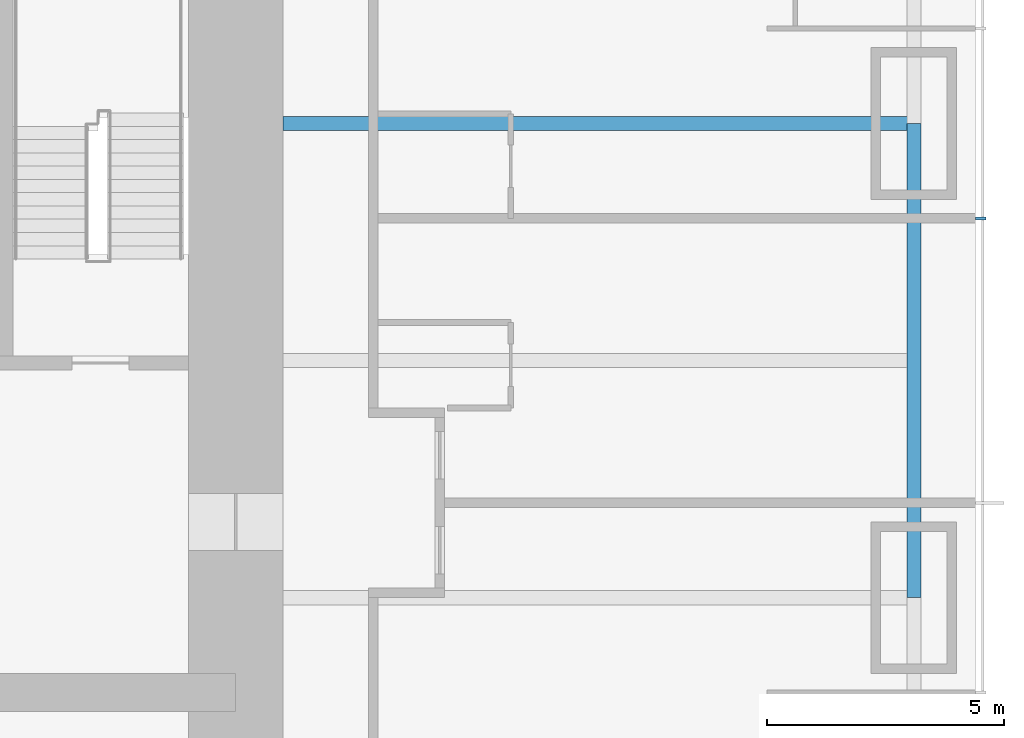
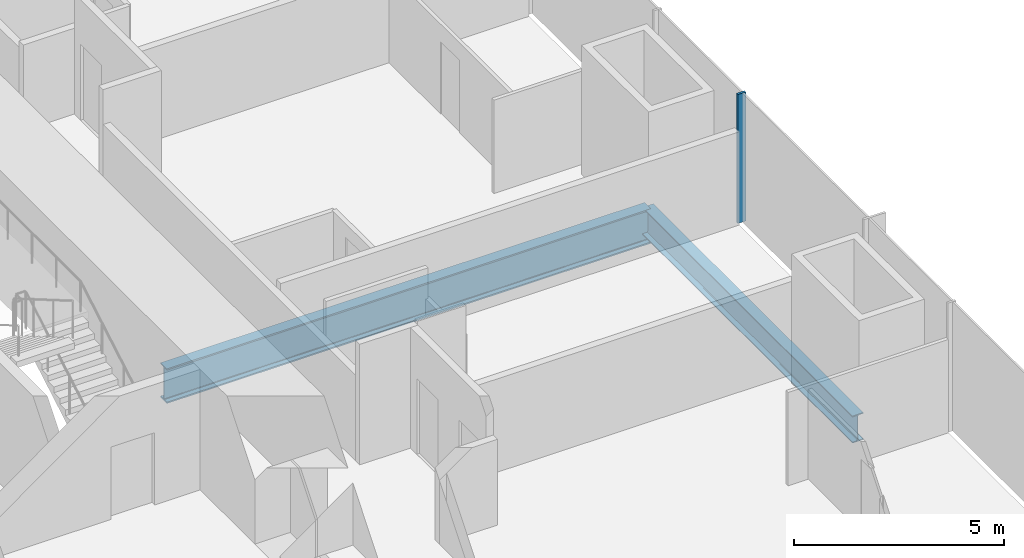
# One storey, part 5 of 16: 2 beams, 1 member, 1 element without a shape of its own.
"""IFC4 building model written with IfcOpenShell, lengths in metres."""

from ifc_helpers import new_model, si_unit, direction, frame, origin, origin_2d, place, context, subcontext, project, spatial, rectangle, i_section, extrude, material, material_profile, profile_set, type_object, element, aggregate, save


model = new_model("IFC4")

# Units and contexts
model_context = context("Model", 3, precision=1e-05, world=origin(), true_north=direction((0.0, 1.0)))
body_context = subcontext(model_context, "Body", "Model", "MODEL_VIEW")
ifc_project = project(units=[si_unit("LENGTHUNIT", "METRE"), si_unit("AREAUNIT", "SQUARE_METRE"), si_unit("VOLUMEUNIT", "CUBIC_METRE"), si_unit("PLANEANGLEUNIT", "RADIAN"), si_unit("MASSUNIT", "GRAM", prefix="KILO")], contexts=[model_context])

# Site, building, storey
site_placement = place(None, origin())
site = spatial("IfcSite", under=ifc_project, at=site_placement, CompositionType="ELEMENT")
building_placement = place(site_placement, origin())
building = spatial("IfcBuilding", under=site, at=building_placement, Name="Khuree Lantern Residences", CompositionType="ELEMENT")
storey_placement = place(building_placement, frame((0.0, 0.0, 81.0)))
storey = spatial("IfcBuildingStorey", under=building, at=storey_placement, Name="L20", CompositionType="ELEMENT", Elevation=81.0)

# Beams
ifc_material_1 = material(Name="Steel S355", Category="steel")
ifc_material_profile_1 = material_profile(ifc_material_1, i_section(OverallWidth=0.300048828125, OverallDepth=0.7900390625, WebThickness=0.014892578125, FlangeThickness=0.028076171875, FilletRadius=0.030029296875, at=origin_2d()), Name="HE 800 A")
ifc_profile_set_1 = profile_set([ifc_material_profile_1], Name="Steel S355")
beam_type_1 = type_object("IfcBeamType", Name="E-14 SPANDREL BEAM HE 800 A", PredefinedType="SPANDREL", material=ifc_profile_set_1)
beam_1_placement = place(storey_placement, frame((29.800048828125, 0.0, -0.64501953125), z_axis=(0.0, -1.0, 0.0), x_axis=(1.0, 0.0, 0.0)))
element("IfcBeam", 1, at=beam_1_placement, inside=storey, type_object=beam_type_1, Name="Spandrel beam E4", PredefinedType="SPANDREL", context=body_context, shape_type="SweptSolid", body=[
    extrude(i_section(OverallWidth=0.300048828125, OverallDepth=0.7900390625, WebThickness=0.014892578125, FlangeThickness=0.028076171875, FilletRadius=0.030029296875, at=origin_2d()), origin(), (0.0, 0.0, 1.0), 10.0),
])
ifc_material_profile_2 = material_profile(ifc_material_1, i_section(OverallWidth=0.302001953125, OverallDepth=1.008056640625, WebThickness=0.02099609375, FlangeThickness=0.0400390625, FilletRadius=0.030029296875, at=origin_2d()), Name="HE 1000 M")
ifc_profile_set_2 = profile_set([ifc_material_profile_2], Name="Steel S355")
beam_type_2 = type_object("IfcBeamType", Name="G-14 GIRDER HE 1000 M", PredefinedType="BEAM", material=ifc_profile_set_2)
beam_2_placement = place(storey_placement, frame((29.800048828125, 0.0, -0.75390625), z_axis=(-1.0, 0.0, 0.0), x_axis=(0.0, -1.0, 0.0)))
element("IfcBeam", 2, at=beam_2_placement, inside=storey, type_object=beam_type_2, Name="Girder E3", PredefinedType="BEAM", context=body_context, shape_type="SweptSolid", body=[
    extrude(i_section(OverallWidth=0.302001953125, OverallDepth=1.008056640625, WebThickness=0.02099609375, FlangeThickness=0.0400390625, FilletRadius=0.030029296875, at=origin_2d()), origin(), (0.0, 0.0, 1.0), 13.300048828125),
])

# Curtain wall, member
ifc_material_2 = material(Name="Bronze anodised aluminium", Category="aluminium")
curtain_wall_type = type_object("IfcCurtainWallType", Name="CW-T1 TOWER FACE CURTAIN WALL", PredefinedType="USERDEFINED", material=ifc_material_2)
curtain_wall_placement = place(storey_placement, origin())
curtain_wall = element("IfcCurtainWall", 3, at=curtain_wall_placement, inside=storey, type_object=curtain_wall_type, Name="L20 EAST FACE CURTAIN WALL", ObjectType="Stick-built curtain wall", PredefinedType="USERDEFINED")
ifc_material_profile_3 = material_profile(ifc_material_2, rectangle(XDim=0.06494140625, YDim=0.219970703125, at=origin_2d()), Name="M1 65X220")
ifc_profile_set_3 = profile_set([ifc_material_profile_3], Name="Bronze anodised aluminium")
member_type = type_object("IfcMemberType", Name="M1 BRONZE MULLION TOWER 65X220", PredefinedType="MULLION", material=ifc_profile_set_3)
member_placement = place(storey_placement, frame((31.2099609375, -2.0, 0.0), z_axis=(0.0, 0.0, 1.0), x_axis=(0.0, 1.0, 0.0)))
member = element("IfcMember", 4, at=member_placement, type_object=member_type, Name="L20 EAST FACE MULLION 9", PredefinedType="MULLION", context=body_context, shape_type="SweptSolid", body=[
    extrude(rectangle(XDim=0.06494140625, YDim=0.219970703125, at=origin_2d()), origin(), (0.0, 0.0, 1.0), 3.75),
])
aggregate(curtain_wall, [member])

save(model, "model.ifc")
